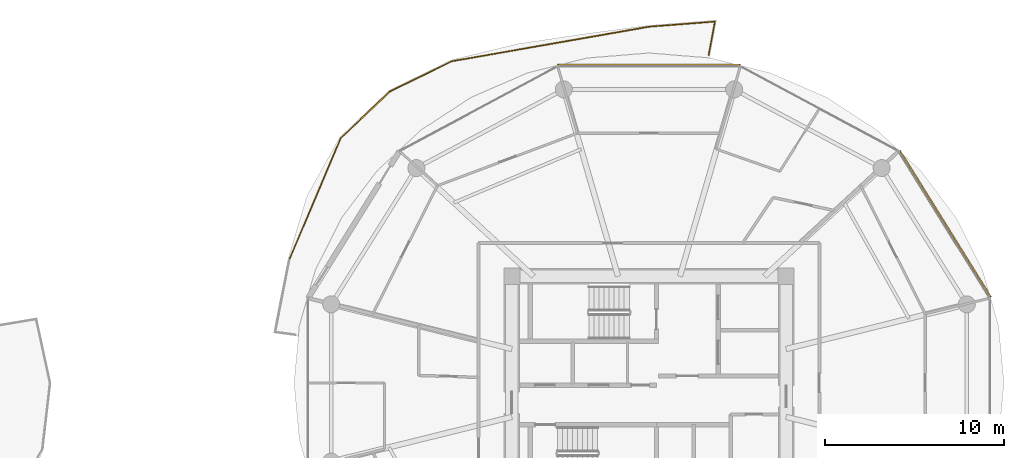
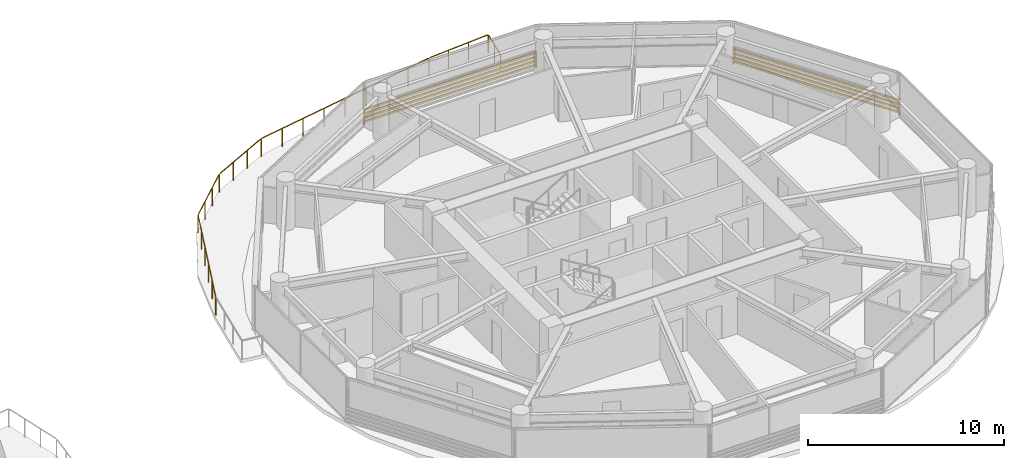
# One storey, part 27 of 27: 2 shading devices, 1 railing.
"""IFC4 building model written with IfcOpenShell, lengths in metres."""

import ifcopenshell
import ifcopenshell.guid

model = None  # the IFC model being written
_history = None  # IfcOwnerHistory: only IFC2X3 demands one
_inside = {}  # id of a spatial element -> (the spatial element, [elements in it])
_under = {}  # id of a project, library or spatial element -> (it, [spatial elements below it])
_declared = {}  # id of a project -> (the project, [libraries it declares])
_typed = {}  # id of a type object -> (the type object, [elements of that type])
_made_of = {}  # id of a material, layer set ... -> (it, [elements and type objects made of it])


def new_model(schema):
    """Start an empty IFC model of exactly this schema.

    Asked for "IFC4X3", IfcOpenShell would pick the latest addendum, in which some entities
    have other attributes; the version numbers below select the first issue.
    IFC2X3 requires an IfcOwnerHistory on every rooted entity: one is made here for all.
    """
    global model, _history
    if schema == "IFC4X3":
        model = ifcopenshell.file(schema_version=(4, 3, 0, 0))
    else:
        model = ifcopenshell.file(schema=schema)
    _inside.clear()
    _under.clear()
    _declared.clear()
    _typed.clear()
    _made_of.clear()
    _history = None
    if model.schema == "IFC2X3":
        org = make("IfcOrganization", Name="unknown")
        user = make(
            "IfcPersonAndOrganization",
            ThePerson=make("IfcPerson", FamilyName="unknown"),
            TheOrganization=org,
        )
        app = make(
            "IfcApplication",
            ApplicationDeveloper=org,
            Version="unknown",
            ApplicationFullName="unknown",
            ApplicationIdentifier="unknown",
        )
        _history = make(
            "IfcOwnerHistory",
            OwningUser=user,
            OwningApplication=app,
            ChangeAction="ADDED",
            CreationDate=0,
        )
    return model


def make(cls, **values):
    """One entity of the class cls with the attributes given. An attribute that is None is left unset."""
    return model.create_entity(
        cls, **{name: value for name, value in values.items() if value is not None}
    )


def rooted(cls, **values):
    """An entity with a GlobalId (a new one), such as an element, a storey or a relation."""
    return make(cls, GlobalId=ifcopenshell.guid.new(), OwnerHistory=_history, **values)


def si_unit(unit_type, name, prefix=None):
    """IfcSIUnit, for example si_unit("LENGTHUNIT", "METRE", prefix="MILLI")."""
    return make("IfcSIUnit", UnitType=unit_type, Prefix=prefix, Name=name)


def assignment(units):
    """IfcUnitAssignment: the units of a project."""
    return None if units is None else make("IfcUnitAssignment", Units=units)


def point(xyz):
    """IfcCartesianPoint."""
    return None if xyz is None else make("IfcCartesianPoint", Coordinates=xyz)


def direction(xyz):
    """IfcDirection."""
    return None if xyz is None else make("IfcDirection", DirectionRatios=xyz)


def frame(location, z_axis=None, x_axis=None):
    """IfcAxis2Placement3D, a coordinate frame: its origin and axes. An axis left out is left unset."""
    return make(
        "IfcAxis2Placement3D",
        Location=point(location),
        Axis=direction(z_axis),
        RefDirection=direction(x_axis),
    )


def frame_2d(location, x_axis=None):
    """IfcAxis2Placement2D, a coordinate frame in the plane: its origin and x axis."""
    return make(
        "IfcAxis2Placement2D", Location=point(location), RefDirection=direction(x_axis)
    )


def origin():
    """The frame at (0, 0, 0) with its axes left unset."""
    return frame((0.0, 0.0, 0.0))


def origin_2d():
    """The frame at (0, 0) in the plane with its x axis left unset."""
    return frame_2d((0.0, 0.0))


def place(relative_to, where):
    """IfcLocalPlacement: puts the frame where relative to a parent placement (None: the world)."""
    return make(
        "IfcLocalPlacement", PlacementRelTo=relative_to, RelativePlacement=where
    )


def context(
    kind, dimensions, precision=None, world=None, true_north=None, identifier=None
):
    """IfcGeometricRepresentationContext, for example the 3D "Model" context."""
    return make(
        "IfcGeometricRepresentationContext",
        ContextIdentifier=identifier,
        ContextType=kind,
        CoordinateSpaceDimension=dimensions,
        Precision=precision,
        WorldCoordinateSystem=world,
        TrueNorth=true_north,
    )


def subcontext(parent, identifier, kind, view, scale=None):
    """IfcGeometricRepresentationSubContext, for example "Body" below "Model"."""
    return make(
        "IfcGeometricRepresentationSubContext",
        ContextIdentifier=identifier,
        ContextType=kind,
        ParentContext=parent,
        TargetScale=scale,
        TargetView=view,
    )


def project(units=None, contexts=None):
    """IfcProject with its units and contexts."""
    return rooted(
        "IfcProject",
        Name="project",
        RepresentationContexts=contexts,
        UnitsInContext=assignment(units),
    )


def spatial(cls, under=None, at=None, **own):
    """A site, building, storey or space (cls), placed at a placement, below another one or the project."""
    s = rooted(cls, ObjectPlacement=at, **own)
    if under is not None:
        _under.setdefault(under.id(), (under, []))[1].append(s)
    return s


def profile(cls, at=None, kind="AREA", **sizes):
    """A parametric profile (cls). Its sizes go by their IFC names, for example OverallWidth=200.0."""
    return make(cls, ProfileType=kind, Position=at, **sizes)


def rectangle(**sizes):
    """IfcRectangleProfileDef."""
    return profile("IfcRectangleProfileDef", **sizes)


def extrude(swept, where, along, depth):
    """IfcExtrudedAreaSolid: the profile swept, set in the frame where, extruded along a direction by depth."""
    return make(
        "IfcExtrudedAreaSolid",
        SweptArea=swept,
        Position=where,
        ExtrudedDirection=direction(along),
        Depth=depth,
    )


def shape(context_of_items, identifier, shape_type, items):
    """IfcShapeRepresentation: the items that make up one representation, for example the "Body"."""
    return make(
        "IfcShapeRepresentation",
        ContextOfItems=context_of_items,
        RepresentationIdentifier=identifier,
        RepresentationType=shape_type,
        Items=items,
    )


def source(mapping_origin, context_of_items, identifier, shape_type, items):
    """IfcRepresentationMap: a shape defined once, which mapped items show again and again."""
    return make(
        "IfcRepresentationMap",
        MappingOrigin=mapping_origin,
        MappedRepresentation=shape(context_of_items, identifier, shape_type, items),
    )


def transform(
    local_origin,
    x_axis=None,
    y_axis=None,
    z_axis=None,
    scale=None,
    scale2=None,
    scale3=None,
    uniform=True,
):
    """IfcCartesianTransformationOperator3D, or its non-uniform kind. x_axis, y_axis, z_axis: its Axis1, 2, 3."""
    if uniform:
        return make(
            "IfcCartesianTransformationOperator3D",
            Axis1=direction(x_axis),
            Axis2=direction(y_axis),
            LocalOrigin=point(local_origin),
            Scale=scale,
            Axis3=direction(z_axis),
        )
    return make(
        "IfcCartesianTransformationOperator3DnonUniform",
        Axis1=direction(x_axis),
        Axis2=direction(y_axis),
        LocalOrigin=point(local_origin),
        Scale=scale,
        Axis3=direction(z_axis),
        Scale2=scale2,
        Scale3=scale3,
    )


def mapped(mapping_source, mapping_target):
    """IfcMappedItem: shows the shape of a source again, moved by a transform."""
    return make(
        "IfcMappedItem", MappingSource=mapping_source, MappingTarget=mapping_target
    )


def material(Name=None, Category=None):
    """IfcMaterial."""
    return make("IfcMaterial", Name=Name, Category=Category)


def made_of(thing, what):
    """Note that an element or type object is made of a material, layer set ...; save() writes the relation."""
    if what is not None:
        _made_of.setdefault(what.id(), (what, []))[1].append(thing)
    return thing


def type_object(cls, material=None, **own):
    """A type object (cls), such as IfcWallType, which elements share."""
    return made_of(rooted(cls, **own), material)


def type_shapes(of_type, sources):
    """Give a type object the sources (RepresentationMaps) that its elements show as mapped items."""
    of_type.RepresentationMaps = sources


def element(
    cls,
    number,
    at=None,
    inside=None,
    cuts=None,
    type_object=None,
    material=None,
    context=None,
    identifier="Body",
    shape_type=None,
    held_by="IfcProductDefinitionShape",
    body=None,
    shapes=None,
    **own,
):
    """One element of the class cls, such as IfcWall. Its Tag is "e" and its number.

    at: its placement. inside: the storey or other place that contains it. cuts: it is an
    opening in that element (IfcRelVoidsElement). A single representation is given by context,
    identifier, shape_type and body (its items); several are given by shapes. held_by: the class
    of the entity that holds the representations. save() writes the other relations.
    """
    e = rooted(cls, Tag="e%d" % number, ObjectPlacement=at, **own)
    if body is not None:
        shapes = [shape(context, identifier, shape_type, body)]
    if shapes is not None:
        e.Representation = make(held_by, Representations=shapes)
    if inside is not None:
        _inside.setdefault(inside.id(), (inside, []))[1].append(e)
    if cuts is not None:
        rooted(
            "IfcRelVoidsElement", RelatingBuildingElement=cuts, RelatedOpeningElement=e
        )
    if type_object is not None:
        _typed.setdefault(type_object.id(), (type_object, []))[1].append(e)
    return made_of(e, material)


def aggregate(whole, parts):
    """IfcRelAggregates: a whole, such as a stair, and the parts it consists of."""
    return rooted("IfcRelAggregates", RelatingObject=whole, RelatedObjects=parts)


def save(model, path):
    """Write the relations noted so far, then the file.

    IfcRelAggregates (storeys below a building ...), IfcRelContainedInSpatialStructure (elements
    in a storey), IfcRelDefinesByType, IfcRelAssociatesMaterial and IfcRelDeclares: one each for
    every whole, place, type object, material and project.
    """
    for whole, parts in _under.values():
        aggregate(whole, parts)
    for where, things in _inside.values():
        rooted(
            "IfcRelContainedInSpatialStructure",
            RelatedElements=things,
            RelatingStructure=where,
        )
    for kind, things in _typed.values():
        rooted("IfcRelDefinesByType", RelatedObjects=things, RelatingType=kind)
    for what, things in _made_of.values():
        rooted("IfcRelAssociatesMaterial", RelatedObjects=things, RelatingMaterial=what)
    for by, libraries in _declared.values():
        rooted("IfcRelDeclares", RelatingContext=by, RelatedDefinitions=libraries)
    model.write(path)


model = new_model("IFC4")

# Units and contexts
model_context = context("Model", 3, precision=1e-05, world=origin(), true_north=direction((0.0, 1.0)))
body_context = subcontext(model_context, "Body", "Model", "MODEL_VIEW")
ifc_project = project(units=[si_unit("LENGTHUNIT", "METRE"), si_unit("AREAUNIT", "SQUARE_METRE"), si_unit("VOLUMEUNIT", "CUBIC_METRE"), si_unit("PLANEANGLEUNIT", "RADIAN"), si_unit("MASSUNIT", "GRAM", prefix="KILO")], contexts=[model_context])

# Site, building, storey
site_placement = place(None, origin())
site = spatial("IfcSite", under=ifc_project, at=site_placement, CompositionType="ELEMENT")
building_placement = place(site_placement, origin())
building = spatial("IfcBuilding", under=site, at=building_placement, Name="Norrkilde Senior Care Towers", CompositionType="ELEMENT")
storey_placement = place(building_placement, frame((0.0, 0.0, 61.25)))
storey = spatial("IfcBuildingStorey", under=building, at=storey_placement, Name="L18", CompositionType="ELEMENT", Elevation=61.25)

# Railing
ifc_material_1 = material(Name="Anodised Aluminium", Category="aluminium")
railing_type = type_object("IfcRailingType", Name="Balcony Swirl Ribbon Guardrail 1150", PredefinedType="GUARDRAIL", material=ifc_material_1)
railing_placement = place(storey_placement, frame((7.9375, 6.874755859375, 0.0)))
element("IfcRailing", 1, at=railing_placement, inside=storey, type_object=railing_type, Name="L18 Perimeter Safety Guard 01", PredefinedType="GUARDRAIL", context=body_context, shape_type="SweptSolid", body=[
    extrude(rectangle(XDim=0.048095703125, YDim=0.048095703125, at=origin_2d()), frame((0.0, 0.0, 1.1259765625), z_axis=(0.389977170837, 0.920824525209, 0.0), x_axis=(-0.920824525209, 0.389977170837, 0.0)), (0.0, 0.0, 1.0), 7.328125),
    extrude(rectangle(XDim=0.048095703125, YDim=0.048095703125, at=origin_2d()), frame((2.903564453125, 6.813720703125, 1.1259765625), z_axis=(0.726376482237, 0.687297028986, 0.0), x_axis=(-0.687297028986, 0.726376482237, 0.0)), (0.0, 0.0, 1.0), 3.716552734375),
    extrude(rectangle(XDim=0.048095703125, YDim=0.048095703125, at=origin_2d()), frame((5.669677734375, 9.4140625, 1.1259765625), z_axis=(0.899376919725, 0.437174057174, 0.0), x_axis=(-0.437174057174, 0.899376919725, 0.0)), (0.0, 0.0, 1.0), 3.741943359375),
    extrude(rectangle(XDim=0.048095703125, YDim=0.048095703125, at=origin_2d()), frame((9.112060546875, 11.074951171875, 1.1259765625), z_axis=(0.985001124584, 0.172547919631, 0.0), x_axis=(-0.172547919631, 0.985001124584, 0.0)), (0.0, 0.0, 1.0), 11.084716796875),
    extrude(rectangle(XDim=0.048095703125, YDim=0.048095703125, at=origin_2d()), frame((20.111572265625, 12.997802734375, 1.1259765625), z_axis=(0.996976695812, 0.077701145477, 0.0), x_axis=(-0.077701145477, 0.996976695812, 0.0)), (0.0, 0.0, 1.0), 3.59765625),
    extrude(rectangle(XDim=0.048095703125, YDim=0.048095703125, at=origin_2d()), frame((23.7314453125, 13.240234375, 1.1259765625), z_axis=(-0.183346325551, -0.983048383808, 0.0), x_axis=(0.983048383808, -0.183346325551, 0.0)), (0.0, 0.0, 1.0), 1.836669921875),
    extrude(rectangle(XDim=0.0419921875, YDim=0.0419921875, at=origin_2d()), origin(), (0.0, 0.0, 1.0), 1.099853515625),
    extrude(rectangle(XDim=0.0419921875, YDim=0.0419921875, at=origin_2d()), frame((0.57470703125, 1.357177734375, 0.0)), (0.0, 0.0, 1.0), 1.099853515625),
    extrude(rectangle(XDim=0.0419921875, YDim=0.0419921875, at=origin_2d()), frame((1.1494140625, 2.71435546875, 0.0)), (0.0, 0.0, 1.0), 1.099853515625),
    extrude(rectangle(XDim=0.0419921875, YDim=0.0419921875, at=origin_2d()), frame((1.724365234375, 4.0712890625, 0.0)), (0.0, 0.0, 1.0), 1.099853515625),
    extrude(rectangle(XDim=0.0419921875, YDim=0.0419921875, at=origin_2d()), frame((2.299072265625, 5.428466796875, 0.0)), (0.0, 0.0, 1.0), 1.099853515625),
    extrude(rectangle(XDim=0.0419921875, YDim=0.0419921875, at=origin_2d()), frame((2.873779296875, 6.78564453125, 0.0)), (0.0, 0.0, 1.0), 1.099853515625),
    extrude(rectangle(XDim=0.0419921875, YDim=0.0419921875, at=origin_2d()), frame((3.79345703125, 7.65576171875, 0.0)), (0.0, 0.0, 1.0), 1.099853515625),
    extrude(rectangle(XDim=0.0419921875, YDim=0.0419921875, at=origin_2d()), frame((4.713134765625, 8.526123046875, 0.0)), (0.0, 0.0, 1.0), 1.099853515625),
    extrude(rectangle(XDim=0.0419921875, YDim=0.0419921875, at=origin_2d()), frame((5.6328125, 9.396240234375, 0.0)), (0.0, 0.0, 1.0), 1.099853515625),
    extrude(rectangle(XDim=0.0419921875, YDim=0.0419921875, at=origin_2d()), frame((6.779052734375, 9.953369140625, 0.0)), (0.0, 0.0, 1.0), 1.099853515625),
    extrude(rectangle(XDim=0.0419921875, YDim=0.0419921875, at=origin_2d()), frame((7.925537109375, 10.5107421875, 0.0)), (0.0, 0.0, 1.0), 1.099853515625),
    extrude(rectangle(XDim=0.0419921875, YDim=0.0419921875, at=origin_2d()), frame((9.07177734375, 11.06787109375, 0.0)), (0.0, 0.0, 1.0), 1.099853515625),
    extrude(rectangle(XDim=0.0419921875, YDim=0.0419921875, at=origin_2d()), frame((10.44677734375, 11.30859375, 0.0)), (0.0, 0.0, 1.0), 1.099853515625),
    extrude(rectangle(XDim=0.0419921875, YDim=0.0419921875, at=origin_2d()), frame((11.821533203125, 11.549560546875, 0.0)), (0.0, 0.0, 1.0), 1.099853515625),
    extrude(rectangle(XDim=0.0419921875, YDim=0.0419921875, at=origin_2d()), frame((13.1962890625, 11.79052734375, 0.0)), (0.0, 0.0, 1.0), 1.099853515625),
    extrude(rectangle(XDim=0.0419921875, YDim=0.0419921875, at=origin_2d()), frame((14.5712890625, 12.03125, 0.0)), (0.0, 0.0, 1.0), 1.099853515625),
    extrude(rectangle(XDim=0.0419921875, YDim=0.0419921875, at=origin_2d()), frame((15.9462890625, 12.27197265625, 0.0)), (0.0, 0.0, 1.0), 1.099853515625),
    extrude(rectangle(XDim=0.0419921875, YDim=0.0419921875, at=origin_2d()), frame((17.321044921875, 12.512939453125, 0.0)), (0.0, 0.0, 1.0), 1.099853515625),
    extrude(rectangle(XDim=0.0419921875, YDim=0.0419921875, at=origin_2d()), frame((18.69580078125, 12.75390625, 0.0)), (0.0, 0.0, 1.0), 1.099853515625),
    extrude(rectangle(XDim=0.0419921875, YDim=0.0419921875, at=origin_2d()), frame((20.07080078125, 12.99462890625, 0.0)), (0.0, 0.0, 1.0), 1.099853515625),
    extrude(rectangle(XDim=0.0419921875, YDim=0.0419921875, at=origin_2d()), frame((21.29345703125, 13.08984375, 0.0)), (0.0, 0.0, 1.0), 1.099853515625),
    extrude(rectangle(XDim=0.0419921875, YDim=0.0419921875, at=origin_2d()), frame((22.516357421875, 13.185302734375, 0.0)), (0.0, 0.0, 1.0), 1.099853515625),
    extrude(rectangle(XDim=0.0419921875, YDim=0.0419921875, at=origin_2d()), frame((23.739013671875, 13.280517578125, 0.0)), (0.0, 0.0, 1.0), 1.099853515625),
    extrude(rectangle(XDim=0.0419921875, YDim=0.0419921875, at=origin_2d()), frame((23.56689453125, 12.357666015625, 0.0)), (0.0, 0.0, 1.0), 1.099853515625),
    extrude(rectangle(XDim=0.0419921875, YDim=0.0419921875, at=origin_2d()), frame((23.394775390625, 11.434814453125, 0.0)), (0.0, 0.0, 1.0), 1.099853515625),
])

# Shading devices
ifc_material_2 = material(Name="Architectural Terracotta", Category="masonry")
shading_device_type = type_object("IfcShadingDeviceType", Name="Horizontal Terracotta Baguette Rack", PredefinedType="USERDEFINED", material=ifc_material_2)
shared_shape_1 = source(origin(), body_context, "Body", "SweptSolid", [
    extrude(rectangle(XDim=0.070068359375, YDim=0.110107421875, at=origin_2d()), frame((0.0, 0.090087890625, 0.125), z_axis=(1.0, 0.0, 0.0), x_axis=(0.0, 1.0, 0.0)), (0.0, 0.0, 1.0), 9.64892578125),
    extrude(rectangle(XDim=0.070068359375, YDim=0.110107421875, at=origin_2d()), frame((0.0, 0.090087890625, 0.375), z_axis=(1.0, 0.0, 0.0), x_axis=(0.0, 1.0, 0.0)), (0.0, 0.0, 1.0), 9.64892578125),
    extrude(rectangle(XDim=0.070068359375, YDim=0.110107421875, at=origin_2d()), frame((0.0, 0.090087890625, 0.625), z_axis=(1.0, 0.0, 0.0), x_axis=(0.0, 1.0, 0.0)), (0.0, 0.0, 1.0), 9.64892578125),
    extrude(rectangle(XDim=0.070068359375, YDim=0.110107421875, at=origin_2d()), frame((0.0, 0.090087890625, 0.875), z_axis=(1.0, 0.0, 0.0), x_axis=(0.0, 1.0, 0.0)), (0.0, 0.0, 1.0), 9.64892578125),
    extrude(rectangle(XDim=0.050048828125, YDim=0.1552734375, at=origin_2d()), frame((0.02490234375, 0.047607421875, 0.0)), (0.0, 0.0, 1.0), 1.0),
    extrude(rectangle(XDim=0.050048828125, YDim=0.1552734375, at=origin_2d()), frame((9.6240234375, 0.047607421875, 0.0)), (0.0, 0.0, 1.0), 1.0),
])
shading_device_1_placement = place(storey_placement, frame((41.915771484375, 12.926025390625, 0.080078125), z_axis=(0.0, 0.0, 1.0), x_axis=(0.527908506655, -0.849299124538, 0.0)))
element("IfcShadingDevice", 2, at=shading_device_1_placement, inside=storey, type_object=shading_device_type, Name="L18 Drum E Terracotta Baguette Screen 00", ObjectType="BAGUETTE", PredefinedType="USERDEFINED", context=body_context, shape_type="MappedRepresentation", body=[
    mapped(shared_shape_1, transform((0.0, 0.0, 0.0), x_axis=(1.0, 0.0, 0.0), y_axis=(0.0, 1.0, 0.0), z_axis=(0.0, 0.0, 1.0), scale=1.0)),
])
shared_shape_2 = source(origin(), body_context, "Body", "SweptSolid", [
    extrude(rectangle(XDim=0.070068359375, YDim=0.110107421875, at=origin_2d()), frame((0.0, 0.090087890625, 0.125), z_axis=(1.0, 0.0, 0.0), x_axis=(0.0, 1.0, 0.0)), (0.0, 0.0, 1.0), 10.18701171875),
    extrude(rectangle(XDim=0.070068359375, YDim=0.110107421875, at=origin_2d()), frame((0.0, 0.090087890625, 0.375), z_axis=(1.0, 0.0, 0.0), x_axis=(0.0, 1.0, 0.0)), (0.0, 0.0, 1.0), 10.18701171875),
    extrude(rectangle(XDim=0.070068359375, YDim=0.110107421875, at=origin_2d()), frame((0.0, 0.090087890625, 0.625), z_axis=(1.0, 0.0, 0.0), x_axis=(0.0, 1.0, 0.0)), (0.0, 0.0, 1.0), 10.18701171875),
    extrude(rectangle(XDim=0.070068359375, YDim=0.110107421875, at=origin_2d()), frame((0.0, 0.090087890625, 0.875), z_axis=(1.0, 0.0, 0.0), x_axis=(0.0, 1.0, 0.0)), (0.0, 0.0, 1.0), 10.18701171875),
    extrude(rectangle(XDim=0.050048828125, YDim=0.1552734375, at=origin_2d()), frame((0.02490234375, 0.047607421875, 0.0)), (0.0, 0.0, 1.0), 1.0),
    extrude(rectangle(XDim=0.050048828125, YDim=0.1552734375, at=origin_2d()), frame((10.162109375, 0.047607421875, 0.0)), (0.0, 0.0, 1.0), 1.0),
])
type_shapes(shading_device_type, [shared_shape_1, shared_shape_2])
shading_device_2_placement = place(storey_placement, frame((22.906494140625, 17.6572265625, 0.080078125), z_axis=(0.0, 0.0, 1.0), x_axis=(1.0, 0.0, 0.0)))
element("IfcShadingDevice", 3, at=shading_device_2_placement, inside=storey, type_object=shading_device_type, Name="L18 Drum E Terracotta Baguette Screen 02", ObjectType="BAGUETTE", PredefinedType="USERDEFINED", context=body_context, shape_type="MappedRepresentation", body=[
    mapped(shared_shape_2, transform((0.0, 0.0, 0.0), x_axis=(1.0, 0.0, 0.0), y_axis=(0.0, 1.0, 0.0), z_axis=(0.0, 0.0, 1.0), scale=1.0)),
])

save(model, "model.ifc")
